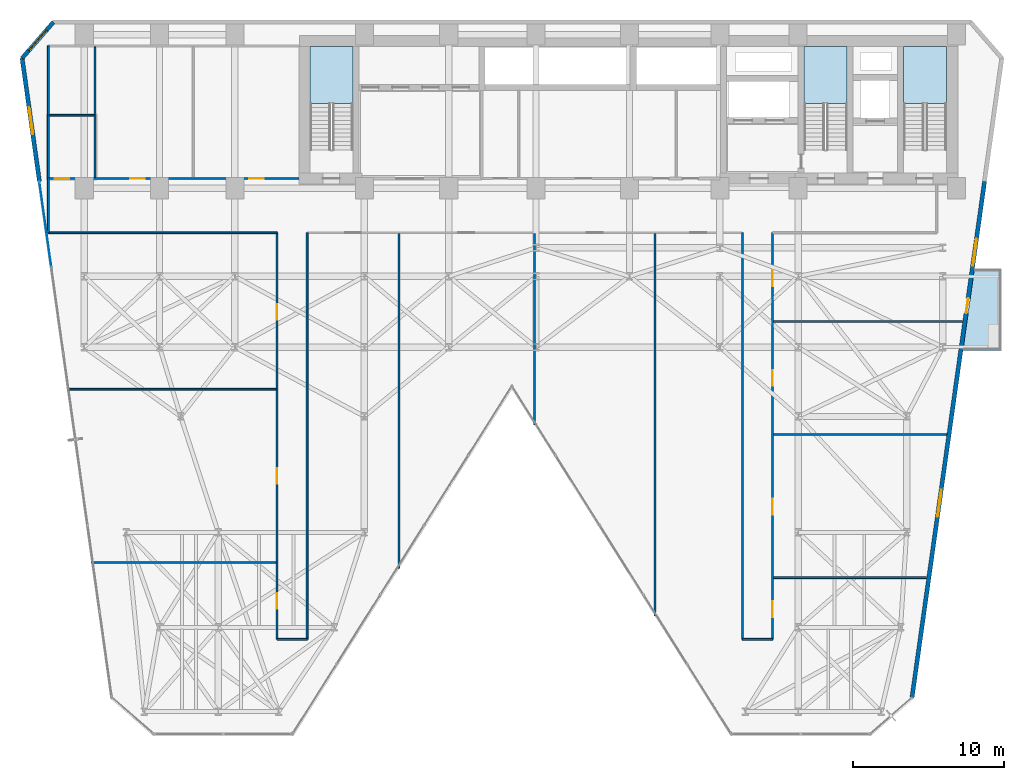
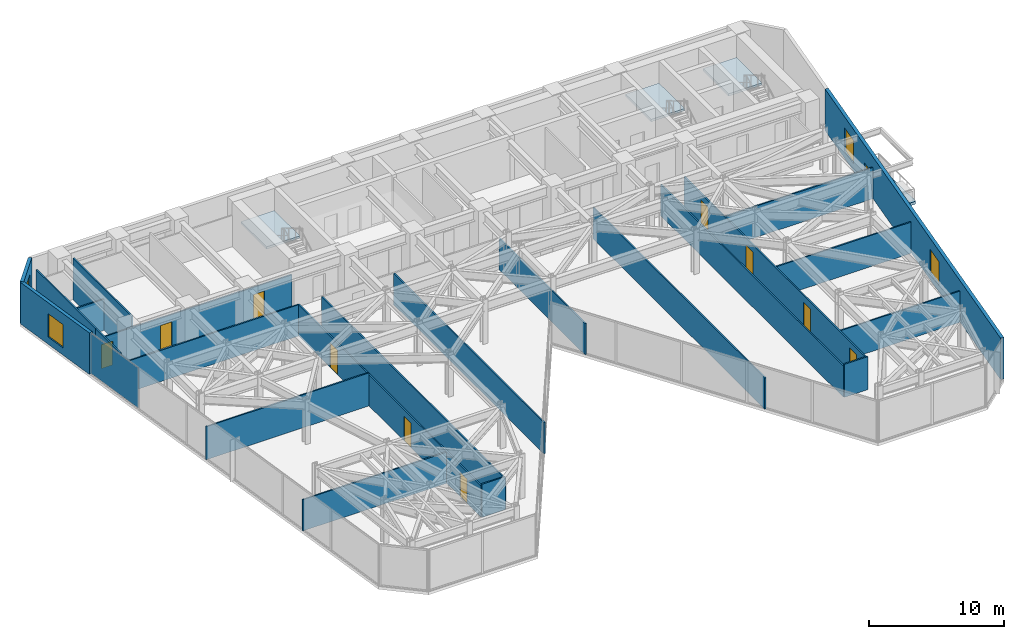
# One storey, part 19 of 25: 23 walls, 11 doors, 4 slabs, 4 windows, 1 plate, 15 openings, 4 elements without a shape of their own.
"""IFC4 building model written with IfcOpenShell, lengths in metres."""

from ifc_helpers import new_model, si_unit, direction, frame, frame_2d, origin, origin_2d, place, context, subcontext, project, spatial, polyline, rectangle, outline, extrude, material, layer, layer_set, type_object, element, fill, aggregate, save


model = new_model("IFC4")

# Units and contexts
model_context = context("Model", 3, precision=1e-05, world=origin(), true_north=direction((0.0, 1.0)))
body_context = subcontext(model_context, "Body", "Model", "MODEL_VIEW")
ifc_project = project(units=[si_unit("LENGTHUNIT", "METRE"), si_unit("AREAUNIT", "SQUARE_METRE"), si_unit("VOLUMEUNIT", "CUBIC_METRE"), si_unit("PLANEANGLEUNIT", "RADIAN"), si_unit("MASSUNIT", "GRAM", prefix="KILO")], contexts=[model_context])

# Site, building, storey
site_placement = place(None, origin())
site = spatial("IfcSite", under=ifc_project, at=site_placement, CompositionType="ELEMENT")
building_placement = place(site_placement, origin())
building = spatial("IfcBuilding", under=site, at=building_placement, Name="Kravanh Interchange Tower", CompositionType="ELEMENT")
storey_placement = place(building_placement, frame((0.0, 0.0, 73.5)))
storey = spatial("IfcBuildingStorey", under=building, at=storey_placement, Name="L17", CompositionType="ELEMENT", Elevation=73.5)

# Stair, slab
ifc_material_1 = material(Name="Concrete C50/60", Category="concrete")
stair_type = type_object("IfcStairType", Name="Core Fire Exit Dogleg Stair Concrete C50/60", PredefinedType="HALF_TURN_STAIR", material=ifc_material_1)
stair_1_placement = place(storey_placement, origin())
stair_1 = element("IfcStair", 1, at=stair_1_placement, inside=storey, type_object=stair_type, Name="L17 Exit Stair ST1", PredefinedType="HALF_TURN_STAIR")
ifc_material_2 = material(Name="Concrete C50/60", Category="concrete")
ifc_layer_1 = layer(ifc_material_2, 0.199951171875)
ifc_layer_set_1 = layer_set([ifc_layer_1], Name="Concrete C50/60 Stair Half-Landing Slab 200mm")
slab_type_1 = type_object("IfcSlabType", Name="Concrete C50/60 Stair Half-Landing Slab 200mm", PredefinedType="LANDING", material=ifc_layer_set_1)
slab_1_placement = place(storey_placement, frame((0.0, 0.0, 1.800048828125)))
slab_1 = element("IfcSlab", 2, at=slab_1_placement, type_object=slab_type_1, Name="ST1 landing 1", PredefinedType="LANDING", context=body_context, shape_type="SweptSolid", body=[
    extrude(outline(polyline([(65.85009765625, 42.97998046875), (65.85009765625, 46.75), (63.0, 46.75), (63.0, 42.97998046875), (65.85009765625, 42.97998046875)])), origin(), (0.0, 0.0, 1.0), 0.199951171875),
])
aggregate(stair_1, [slab_1])

stair_2_placement = place(storey_placement, origin())
stair_2 = element("IfcStair", 3, at=stair_2_placement, inside=storey, type_object=stair_type, Name="L17 Exit Stair ST2", PredefinedType="HALF_TURN_STAIR")
slab_2_placement = place(storey_placement, frame((0.0, 0.0, 1.800048828125)))
slab_2 = element("IfcSlab", 4, at=slab_2_placement, type_object=slab_type_1, Name="ST2 landing 1", PredefinedType="LANDING", context=body_context, shape_type="SweptSolid", body=[
    extrude(outline(polyline([(59.25, 42.97998046875), (59.25, 46.75), (56.39990234375, 46.75), (56.39990234375, 42.97998046875), (59.25, 42.97998046875)])), origin(), (0.0, 0.0, 1.0), 0.199951171875),
])
aggregate(stair_2, [slab_2])

stair_3_placement = place(storey_placement, origin())
stair_3 = element("IfcStair", 5, at=stair_3_placement, inside=storey, type_object=stair_type, Name="L17 Exit Stair ST3", PredefinedType="HALF_TURN_STAIR")
slab_3_placement = place(storey_placement, frame((0.0, 0.0, 1.800048828125)))
slab_3 = element("IfcSlab", 6, at=slab_3_placement, type_object=slab_type_1, Name="ST3 landing 1", PredefinedType="LANDING", context=body_context, shape_type="SweptSolid", body=[
    extrude(outline(polyline([(26.449951171875, 42.97998046875), (26.449951171875, 46.75), (23.60009765625, 46.75), (23.60009765625, 42.97998046875), (26.449951171875, 42.97998046875)])), origin(), (0.0, 0.0, 1.0), 0.199951171875),
])
aggregate(stair_3, [slab_3])

# Slab
ifc_material_3 = material(Name="Concrete C50/60", Category="concrete")
ifc_layer_2 = layer(ifc_material_3, 0.199951171875)
ifc_layer_set_2 = layer_set([ifc_layer_2], Name="Planted Tree Balcony Slab Concrete C50/60 200mm")
slab_type_2 = type_object("IfcSlabType", Name="Planted Tree Balcony Slab Concrete C50/60 200mm", PredefinedType="USERDEFINED", material=ifc_layer_set_2)
slab_4_placement = place(storey_placement, frame((0.0, 0.0, -0.260009765625)))
element("IfcSlab", 7, at=slab_4_placement, inside=storey, type_object=slab_type_2, Name="L17 East Tree Planter Balcony Slab", ObjectType="BALCONY", PredefinedType="USERDEFINED", context=body_context, shape_type="SweptSolid", body=[
    extrude(outline(polyline([(69.489990234375, 31.989990234375), (69.489990234375, 26.590087890625), (66.935791015625, 26.590087890625), (67.69482421875, 31.989990234375), (69.489990234375, 31.989990234375)])), origin(), (0.0, 0.0, 1.0), 0.260009765625),
])

# Curtain wall, plate
ifc_material_4 = material(Name="Anodised Bronze Aluminium", Category="aluminium")
ifc_layer_3 = layer(ifc_material_4, 0.179931640625)
ifc_layer_set_3 = layer_set([ifc_layer_3], Name="Unitised Curtain Wall System CW-Z1 Lower Office")
curtain_wall_type = type_object("IfcCurtainWallType", Name="Unitised Curtain Wall System CW-Z1 Lower Office", PredefinedType="NOTDEFINED", material=ifc_layer_set_3)
curtain_wall_placement = place(storey_placement, origin())
curtain_wall = element("IfcCurtainWall", 8, at=curtain_wall_placement, inside=storey, type_object=curtain_wall_type, Name="L17 Unitised Curtain Wall CW-L17-01", PredefinedType="NOTDEFINED")
ifc_material_5 = material(Name="Low-E Laminated Architectural Glass", Category="glass")
ifc_layer_4 = layer(ifc_material_5, 0.028076171875)
ifc_layer_set_4 = layer_set([ifc_layer_4], Name="Solar-Control Double Glazing 28mm")
plate_type = type_object("IfcPlateType", Name="Solar-Control Double Glazing 28mm", PredefinedType="CURTAIN_PANEL", material=ifc_layer_set_4)
plate_placement = place(storey_placement, frame((6.028564453125, 34.927490234375, 0.06005859375), z_axis=(0.0, 0.0, 1.0), x_axis=(-0.139176538065, 0.990267585682, 0.0)))
plate = element("IfcPlate", 9, at=plate_placement, type_object=plate_type, Name="CW-Z1 panel 6.1", PredefinedType="CURTAIN_PANEL", context=body_context, shape_type="SweptSolid", body=[
    extrude(rectangle(XDim=5.66162109375, YDim=0.028076171875, at=origin_2d()), origin(), (0.0, 0.0, 1.0), 3.6201171875),
])
aggregate(curtain_wall, [plate])

# Wall, openings, doors
ifc_material_6 = material(Name="Double Acoustic Gypsum Board and Mineral Wool")
ifc_layer_5 = layer(ifc_material_6, 0.1201171875)
ifc_layer_set_5 = layer_set([ifc_layer_5], Name="Acoustic Office Drywall Partition 120mm")
wall_type_1 = type_object("IfcWallType", Name="Acoustic Office Drywall Partition 120mm", PredefinedType="PARTITIONING", material=ifc_layer_set_5)
wall_1_placement = place(storey_placement, frame((6.219970703125, 38.0, 0.0), z_axis=(0.0, 0.0, 1.0), x_axis=(1.0, 0.0, 0.0)))
wall_1 = element("IfcWall", 10, at=wall_1_placement, inside=storey, type_object=wall_type_1, Name="L17 Restroom Corridor Wall 7", PredefinedType="PARTITIONING", context=body_context, shape_type="SweptSolid", body=[
    extrude(rectangle(XDim=16.630126953125, YDim=0.1201171875, at=frame_2d((8.31494140625, 0.0))), origin(), (0.0, 0.0, 1.0), 2.81298828125),
])
opening_1_placement = place(wall_1_placement, frame((0.424072265625, 0.0, 0.0)))
opening_1 = element("IfcOpeningElement", 11, at=opening_1_placement, cuts=wall_1, Name="Opening D-95", PredefinedType="OPENING", context=body_context, shape_type="SweptSolid", body=[
    extrude(rectangle(XDim=0.949951171875, YDim=2.14990234375, at=frame_2d((0.47509765625, 1.074951171875))), frame((0.0, 0.070068359375, 0.0), z_axis=(0.0, -1.0, 0.0), x_axis=(1.0, 0.0, 0.0)), (0.0, 0.0, 1.0), 0.14013671875),
])
opening_2_placement = place(wall_1_placement, frame((5.444091796875, 0.0, 0.0)))
opening_2 = element("IfcOpeningElement", 12, at=opening_2_placement, cuts=wall_1, Name="Opening D-95", PredefinedType="OPENING", context=body_context, shape_type="SweptSolid", body=[
    extrude(rectangle(XDim=0.949951171875, YDim=2.14990234375, at=frame_2d((0.47509765625, 1.074951171875))), frame((0.0, 0.070068359375, 0.0), z_axis=(0.0, -1.0, 0.0), x_axis=(1.0, 0.0, 0.0)), (0.0, 0.0, 1.0), 0.14013671875),
])
opening_3_placement = place(wall_1_placement, frame((13.343994140625, 0.0, 0.0)))
opening_3 = element("IfcOpeningElement", 13, at=opening_3_placement, cuts=wall_1, Name="Opening D-95", PredefinedType="OPENING", context=body_context, shape_type="SweptSolid", body=[
    extrude(rectangle(XDim=0.949951171875, YDim=2.14990234375, at=frame_2d((0.47509765625, 1.074951171875))), frame((0.0, 0.070068359375, 0.0), z_axis=(0.0, -1.0, 0.0), x_axis=(1.0, 0.0, 0.0)), (0.0, 0.0, 1.0), 0.14013671875),
])
ifc_material_7 = material(Name="Laminate Solid-Core Timber", Category="wood")
door_type_1 = type_object("IfcDoorType", Name="Accessible Restroom Door 950x2150", OperationType="NOTDEFINED", PredefinedType="DOOR", material=ifc_material_7)
door_1_placement = place(opening_1_placement, origin())
door_1 = element("IfcDoor", 14, at=door_1_placement, inside=storey, type_object=door_type_1, Name="L17 Accessible WC Door", OperationType="SINGLE_SWING_RIGHT", OverallHeight=2.14990234375, OverallWidth=0.949951171875, PredefinedType="DOOR", context=body_context, shape_type="SweptSolid", body=[
    extrude(rectangle(XDim=0.949951171875, YDim=2.14990234375, at=frame_2d((0.47509765625, 1.074951171875))), frame((0.0, 0.02490234375, 0.0), z_axis=(0.0, -1.0, 0.0), x_axis=(1.0, 0.0, 0.0)), (0.0, 0.0, 1.0), 0.050048828125),
])
fill(opening_1, door_1)
door_2_placement = place(opening_2_placement, origin())
door_2 = element("IfcDoor", 15, at=door_2_placement, inside=storey, type_object=door_type_1, Name="L17 Female WC Door", OperationType="SINGLE_SWING_LEFT", OverallHeight=2.14990234375, OverallWidth=0.949951171875, PredefinedType="DOOR", context=body_context, shape_type="SweptSolid", body=[
    extrude(rectangle(XDim=0.949951171875, YDim=2.14990234375, at=frame_2d((0.47509765625, 1.074951171875))), frame((0.0, 0.02490234375, 0.0), z_axis=(0.0, -1.0, 0.0), x_axis=(1.0, 0.0, 0.0)), (0.0, 0.0, 1.0), 0.050048828125),
])
fill(opening_2, door_2)
door_3_placement = place(opening_3_placement, origin())
door_3 = element("IfcDoor", 16, at=door_3_placement, inside=storey, type_object=door_type_1, Name="L17 Male WC Door", OperationType="SINGLE_SWING_RIGHT", OverallHeight=2.14990234375, OverallWidth=0.949951171875, PredefinedType="DOOR", context=body_context, shape_type="SweptSolid", body=[
    extrude(rectangle(XDim=0.949951171875, YDim=2.14990234375, at=frame_2d((0.47509765625, 1.074951171875))), frame((0.0, 0.02490234375, 0.0), z_axis=(0.0, -1.0, 0.0), x_axis=(1.0, 0.0, 0.0)), (0.0, 0.0, 1.0), 0.050048828125),
])
fill(opening_3, door_3)

# Walls
wall_2_placement = place(storey_placement, frame((6.219970703125, 38.0, 0.0), z_axis=(0.0, 0.0, 1.0), x_axis=(0.0, 1.0, 0.0)))
element("IfcWall", 17, at=wall_2_placement, inside=storey, type_object=wall_type_1, Name="L17 Restroom West Enclosure 8", PredefinedType="PARTITIONING", context=body_context, shape_type="SweptSolid", body=[
    extrude(rectangle(XDim=8.800048828125, YDim=0.1201171875, at=frame_2d((4.39990234375, 0.0))), origin(), (0.0, 0.0, 1.0), 3.739990234375),
])
wall_3_placement = place(storey_placement, frame((9.320068359375, 38.068115234375, 0.0), z_axis=(0.0, 0.0, 1.0), x_axis=(0.0, 1.0, 0.0)))
element("IfcWall", 18, at=wall_3_placement, inside=storey, type_object=wall_type_1, Name="L17 Interior Partition 10", PredefinedType="PARTITIONING", context=body_context, shape_type="SweptSolid", body=[
    extrude(rectangle(XDim=8.663818359375, YDim=0.1201171875, at=frame_2d((4.33203125, 0.0))), origin(), (0.0, 0.0, 1.0), 3.739990234375),
])
wall_4_placement = place(storey_placement, frame((6.2880859375, 42.199951171875, 0.0), z_axis=(0.0, 0.0, 1.0), x_axis=(1.0, 0.0, 0.0)))
element("IfcWall", 19, at=wall_4_placement, inside=storey, type_object=wall_type_1, Name="L17 Interior Partition 12", PredefinedType="PARTITIONING", context=body_context, shape_type="SweptSolid", body=[
    extrude(rectangle(XDim=2.9638671875, YDim=0.1201171875, at=frame_2d((1.48193359375, 0.0))), origin(), (0.0, 0.0, 1.0), 2.81298828125),
])
wall_5_placement = place(storey_placement, frame((6.219970703125, 34.39990234375, 0.0), z_axis=(0.0, 0.0, 1.0), x_axis=(1.0, 0.0, 0.0)))
element("IfcWall", 20, at=wall_5_placement, inside=storey, type_object=wall_type_1, Name="L17 Interior Partition 13", PredefinedType="PARTITIONING", context=body_context, shape_type="SweptSolid", body=[
    extrude(rectangle(XDim=15.179931640625, YDim=0.1201171875, at=frame_2d((7.58984375, 0.0))), origin(), (0.0, 0.0, 1.0), 2.81298828125),
])
wall_6_placement = place(storey_placement, frame((6.219970703125, 34.39990234375, 0.0), z_axis=(0.0, 0.0, 1.0), x_axis=(0.0, 1.0, 0.0)))
element("IfcWall", 21, at=wall_6_placement, inside=storey, type_object=wall_type_1, Name="L17 Interior Partition 16", PredefinedType="PARTITIONING", context=body_context, shape_type="SweptSolid", body=[
    extrude(rectangle(XDim=3.650146484375, YDim=0.1201171875, at=frame_2d((1.8251953125, 0.0))), origin(), (0.0, 0.0, 1.0), 3.739990234375),
])

# Wall, openings, doors
wall_7_placement = place(storey_placement, frame((21.39990234375, 7.39990234375, 0.0), z_axis=(0.0, 0.0, 1.0), x_axis=(0.0, 1.0, 0.0)))
wall_7 = element("IfcWall", 22, at=wall_7_placement, inside=storey, type_object=wall_type_1, Name="L17 Interior Partition 18", PredefinedType="PARTITIONING", context=body_context, shape_type="SweptSolid", body=[
    extrude(rectangle(XDim=27.0, YDim=0.1201171875, at=frame_2d((13.5, 0.0))), origin(), (0.0, 0.0, 1.0), 2.81298828125),
])
opening_4_placement = place(wall_7_placement, frame((2.02490234375, 0.0, 0.0)))
opening_4 = element("IfcOpeningElement", 23, at=opening_4_placement, cuts=wall_7, Name="Opening D-105", PredefinedType="OPENING", context=body_context, shape_type="SweptSolid", body=[
    extrude(rectangle(XDim=1.050048828125, YDim=2.199951171875, at=frame_2d((0.52490234375, 1.10009765625))), frame((0.0, 0.070068359375, 0.0), z_axis=(0.0, -1.0, 0.0), x_axis=(1.0, 0.0, 0.0)), (0.0, 0.0, 1.0), 0.14013671875),
])
opening_5_placement = place(wall_7_placement, frame((10.324951171875, 0.0, 0.0)))
opening_5 = element("IfcOpeningElement", 24, at=opening_5_placement, cuts=wall_7, Name="Opening D-105", PredefinedType="OPENING", context=body_context, shape_type="SweptSolid", body=[
    extrude(rectangle(XDim=1.050048828125, YDim=2.199951171875, at=frame_2d((0.52490234375, 1.10009765625))), frame((0.0, 0.070068359375, 0.0), z_axis=(0.0, -1.0, 0.0), x_axis=(1.0, 0.0, 0.0)), (0.0, 0.0, 1.0), 0.14013671875),
])
opening_6_placement = place(wall_7_placement, frame((21.209716796875, 0.0, 0.0)))
opening_6 = element("IfcOpeningElement", 25, at=opening_6_placement, cuts=wall_7, Name="Opening D-105", PredefinedType="OPENING", context=body_context, shape_type="SweptSolid", body=[
    extrude(rectangle(XDim=1.050048828125, YDim=2.199951171875, at=frame_2d((0.52490234375, 1.10009765625))), frame((0.0, 0.070068359375, 0.0), z_axis=(0.0, -1.0, 0.0), x_axis=(1.0, 0.0, 0.0)), (0.0, 0.0, 1.0), 0.14013671875),
])
ifc_material_8 = material(Name="Acoustic Glazed Oak and Aluminium", Category="aluminium")
door_type_2 = type_object("IfcDoorType", Name="Office Workplace Door 1050x2200", OperationType="NOTDEFINED", PredefinedType="DOOR", material=ifc_material_8)
door_4_placement = place(opening_4_placement, origin())
door_4 = element("IfcDoor", 26, at=door_4_placement, inside=storey, type_object=door_type_2, Name="L17 SW Hospitality Lounge Door", OperationType="SINGLE_SWING_LEFT", OverallHeight=2.199951171875, OverallWidth=1.050048828125, PredefinedType="DOOR", context=body_context, shape_type="SweptSolid", body=[
    extrude(rectangle(XDim=1.050048828125, YDim=2.199951171875, at=frame_2d((0.52490234375, 1.10009765625))), frame((0.0, 0.02490234375, 0.0), z_axis=(0.0, -1.0, 0.0), x_axis=(1.0, 0.0, 0.0)), (0.0, 0.0, 1.0), 0.050048828125),
])
fill(opening_4, door_4)
door_5_placement = place(opening_5_placement, origin())
door_5 = element("IfcDoor", 27, at=door_5_placement, inside=storey, type_object=door_type_2, Name="L17 West Catering Kitchenette Door", OperationType="SINGLE_SWING_RIGHT", OverallHeight=2.199951171875, OverallWidth=1.050048828125, PredefinedType="DOOR", context=body_context, shape_type="SweptSolid", body=[
    extrude(rectangle(XDim=1.050048828125, YDim=2.199951171875, at=frame_2d((0.52490234375, 1.10009765625))), frame((0.0, 0.02490234375, 0.0), z_axis=(0.0, -1.0, 0.0), x_axis=(1.0, 0.0, 0.0)), (0.0, 0.0, 1.0), 0.050048828125),
])
fill(opening_5, door_5)
door_6_placement = place(opening_6_placement, origin())
door_6 = element("IfcDoor", 28, at=door_6_placement, inside=storey, type_object=door_type_2, Name="L17 NW Supply Store Door", OperationType="SINGLE_SWING_LEFT", OverallHeight=2.199951171875, OverallWidth=1.050048828125, PredefinedType="DOOR", context=body_context, shape_type="SweptSolid", body=[
    extrude(rectangle(XDim=1.050048828125, YDim=2.199951171875, at=frame_2d((0.52490234375, 1.10009765625))), frame((0.0, 0.02490234375, 0.0), z_axis=(0.0, -1.0, 0.0), x_axis=(1.0, 0.0, 0.0)), (0.0, 0.0, 1.0), 0.050048828125),
])
fill(opening_6, door_6)

# Walls
wall_8_placement = place(storey_placement, frame((23.39990234375, 7.39990234375, 0.0), z_axis=(0.0, 0.0, 1.0), x_axis=(0.0, 1.0, 0.0)))
element("IfcWall", 29, at=wall_8_placement, inside=storey, type_object=wall_type_1, Name="L17 Interior Partition 19", PredefinedType="PARTITIONING", context=body_context, shape_type="SweptSolid", body=[
    extrude(rectangle(XDim=27.0, YDim=0.1201171875, at=frame_2d((13.5, 0.0))), origin(), (0.0, 0.0, 1.0), 2.81298828125),
])
wall_9_placement = place(storey_placement, frame((21.39990234375, 7.39990234375, 0.0), z_axis=(0.0, 0.0, 1.0), x_axis=(1.0, 0.0, 0.0)))
element("IfcWall", 30, at=wall_9_placement, inside=storey, type_object=wall_type_1, Name="L17 Interior Partition 20", PredefinedType="PARTITIONING", context=body_context, shape_type="SweptSolid", body=[
    extrude(rectangle(XDim=2.0, YDim=0.1201171875, at=frame_2d((1.0, 0.0))), origin(), (0.0, 0.0, 1.0), 2.97802734375),
])
wall_10_placement = place(storey_placement, frame((52.300048828125, 7.39990234375, 0.0), z_axis=(0.0, 0.0, 1.0), x_axis=(0.0, 1.0, 0.0)))
element("IfcWall", 31, at=wall_10_placement, inside=storey, type_object=wall_type_1, Name="L17 Interior Partition 21", PredefinedType="PARTITIONING", context=body_context, shape_type="SweptSolid", body=[
    extrude(rectangle(XDim=27.0, YDim=0.1201171875, at=frame_2d((13.5, 0.0))), origin(), (0.0, 0.0, 1.0), 2.81298828125),
])

# Wall, openings, doors
wall_11_placement = place(storey_placement, frame((54.300048828125, 7.39990234375, 0.0), z_axis=(0.0, 0.0, 1.0), x_axis=(0.0, 1.0, 0.0)))
wall_11 = element("IfcWall", 32, at=wall_11_placement, inside=storey, type_object=wall_type_1, Name="L17 Interior Partition 22", PredefinedType="PARTITIONING", context=body_context, shape_type="SweptSolid", body=[
    extrude(rectangle(XDim=27.0, YDim=0.1201171875, at=frame_2d((13.5, 0.0))), origin(), (0.0, 0.0, 1.0), 2.81298828125),
])
opening_7_placement = place(wall_11_placement, frame((1.484130859375, 0.0, 0.0)))
opening_7 = element("IfcOpeningElement", 33, at=opening_7_placement, cuts=wall_11, Name="Opening D-105", PredefinedType="OPENING", context=body_context, shape_type="SweptSolid", body=[
    extrude(rectangle(XDim=1.050048828125, YDim=2.199951171875, at=frame_2d((0.52490234375, 1.10009765625))), frame((0.0, 0.070068359375, 0.0), z_axis=(0.0, -1.0, 0.0), x_axis=(1.0, 0.0, 0.0)), (0.0, 0.0, 1.0), 0.14013671875),
])
opening_8_placement = place(wall_11_placement, frame((8.284912109375, 0.0, 0.0)))
opening_8 = element("IfcOpeningElement", 34, at=opening_8_placement, cuts=wall_11, Name="Opening D-105", PredefinedType="OPENING", context=body_context, shape_type="SweptSolid", body=[
    extrude(rectangle(XDim=1.050048828125, YDim=2.199951171875, at=frame_2d((0.52490234375, 1.10009765625))), frame((0.0, 0.070068359375, 0.0), z_axis=(0.0, -1.0, 0.0), x_axis=(1.0, 0.0, 0.0)), (0.0, 0.0, 1.0), 0.14013671875),
])
opening_9_placement = place(wall_11_placement, frame((16.824951171875, 0.0, 0.0)))
opening_9 = element("IfcOpeningElement", 35, at=opening_9_placement, cuts=wall_11, Name="Opening D-105", PredefinedType="OPENING", context=body_context, shape_type="SweptSolid", body=[
    extrude(rectangle(XDim=1.050048828125, YDim=2.199951171875, at=frame_2d((0.52490234375, 1.10009765625))), frame((0.0, 0.070068359375, 0.0), z_axis=(0.0, -1.0, 0.0), x_axis=(1.0, 0.0, 0.0)), (0.0, 0.0, 1.0), 0.14013671875),
])
opening_10_placement = place(wall_11_placement, frame((23.459716796875, 0.0, 0.0)))
opening_10 = element("IfcOpeningElement", 36, at=opening_10_placement, cuts=wall_11, Name="Opening D-105", PredefinedType="OPENING", context=body_context, shape_type="SweptSolid", body=[
    extrude(rectangle(XDim=1.050048828125, YDim=2.199951171875, at=frame_2d((0.52490234375, 1.10009765625))), frame((0.0, 0.070068359375, 0.0), z_axis=(0.0, -1.0, 0.0), x_axis=(1.0, 0.0, 0.0)), (0.0, 0.0, 1.0), 0.14013671875),
])
door_7_placement = place(opening_7_placement, origin())
door_7 = element("IfcDoor", 37, at=door_7_placement, inside=storey, type_object=door_type_2, Name="L17 SE Reception Lounge Door", OperationType="SINGLE_SWING_RIGHT", OverallHeight=2.199951171875, OverallWidth=1.050048828125, PredefinedType="DOOR", context=body_context, shape_type="SweptSolid", body=[
    extrude(rectangle(XDim=1.050048828125, YDim=2.199951171875, at=frame_2d((0.52490234375, 1.10009765625))), frame((0.0, 0.02490234375, 0.0), z_axis=(0.0, -1.0, 0.0), x_axis=(1.0, 0.0, 0.0)), (0.0, 0.0, 1.0), 0.050048828125),
])
fill(opening_7, door_7)
door_8_placement = place(opening_8_placement, origin())
door_8 = element("IfcDoor", 38, at=door_8_placement, inside=storey, type_object=door_type_2, Name="L17 East Briefing Meeting Door", OperationType="SINGLE_SWING_LEFT", OverallHeight=2.199951171875, OverallWidth=1.050048828125, PredefinedType="DOOR", context=body_context, shape_type="SweptSolid", body=[
    extrude(rectangle(XDim=1.050048828125, YDim=2.199951171875, at=frame_2d((0.52490234375, 1.10009765625))), frame((0.0, 0.02490234375, 0.0), z_axis=(0.0, -1.0, 0.0), x_axis=(1.0, 0.0, 0.0)), (0.0, 0.0, 1.0), 0.050048828125),
])
fill(opening_8, door_8)
door_9_placement = place(opening_9_placement, origin())
door_9 = element("IfcDoor", 39, at=door_9_placement, inside=storey, type_object=door_type_2, Name="L17 East Balcony Lounge Door", OperationType="SINGLE_SWING_RIGHT", OverallHeight=2.199951171875, OverallWidth=1.050048828125, PredefinedType="DOOR", context=body_context, shape_type="SweptSolid", body=[
    extrude(rectangle(XDim=1.050048828125, YDim=2.199951171875, at=frame_2d((0.52490234375, 1.10009765625))), frame((0.0, 0.02490234375, 0.0), z_axis=(0.0, -1.0, 0.0), x_axis=(1.0, 0.0, 0.0)), (0.0, 0.0, 1.0), 0.050048828125),
])
fill(opening_9, door_9)
door_10_placement = place(opening_10_placement, origin())
door_10 = element("IfcDoor", 40, at=door_10_placement, inside=storey, type_object=door_type_2, Name="L17 NE Vault Store Door", OperationType="SINGLE_SWING_LEFT", OverallHeight=2.199951171875, OverallWidth=1.050048828125, PredefinedType="DOOR", context=body_context, shape_type="SweptSolid", body=[
    extrude(rectangle(XDim=1.050048828125, YDim=2.199951171875, at=frame_2d((0.52490234375, 1.10009765625))), frame((0.0, 0.02490234375, 0.0), z_axis=(0.0, -1.0, 0.0), x_axis=(1.0, 0.0, 0.0)), (0.0, 0.0, 1.0), 0.050048828125),
])
fill(opening_10, door_10)

# Walls
wall_12_placement = place(storey_placement, frame((52.300048828125, 7.39990234375, 0.0), z_axis=(0.0, 0.0, 1.0), x_axis=(1.0, 0.0, 0.0)))
element("IfcWall", 41, at=wall_12_placement, inside=storey, type_object=wall_type_1, Name="L17 Interior Partition 23", PredefinedType="PARTITIONING", context=body_context, shape_type="SweptSolid", body=[
    extrude(rectangle(XDim=2.0, YDim=0.1201171875, at=frame_2d((1.0, 0.0))), origin(), (0.0, 0.0, 1.0), 2.97802734375),
])
wall_13_placement = place(storey_placement, frame((9.07470703125, 12.5, 0.0), z_axis=(0.0, 0.0, 1.0), x_axis=(1.0, 0.0, 0.0)))
element("IfcWall", 42, at=wall_13_placement, inside=storey, type_object=wall_type_1, Name="L17 Interior Partition 24", PredefinedType="PARTITIONING", context=body_context, shape_type="SweptSolid", body=[
    extrude(rectangle(XDim=12.25732421875, YDim=0.1201171875, at=frame_2d((6.128662109375, 0.0))), origin(), (0.0, 0.0, 1.0), 2.81298828125),
])
wall_14_placement = place(storey_placement, frame((7.45849609375, 24.0, 0.0), z_axis=(0.0, 0.0, 1.0), x_axis=(1.0, 0.0, 0.0)))
element("IfcWall", 43, at=wall_14_placement, inside=storey, type_object=wall_type_1, Name="L17 Interior Partition 25", PredefinedType="PARTITIONING", context=body_context, shape_type="SweptSolid", body=[
    extrude(rectangle(XDim=13.87353515625, YDim=0.1201171875, at=frame_2d((6.936767578125, 0.0))), origin(), (0.0, 0.0, 1.0), 2.97802734375),
])
wall_15_placement = place(storey_placement, frame((54.367919921875, 11.5, 0.0), z_axis=(0.0, 0.0, 1.0), x_axis=(1.0, 0.0, 0.0)))
element("IfcWall", 44, at=wall_15_placement, inside=storey, type_object=wall_type_1, Name="L17 Interior Partition 26", PredefinedType="PARTITIONING", context=body_context, shape_type="SweptSolid", body=[
    extrude(rectangle(XDim=10.144287109375, YDim=0.1201171875, at=frame_2d((5.072265625, 0.0))), origin(), (0.0, 0.0, 1.0), 2.81298828125),
])
wall_16_placement = place(storey_placement, frame((54.367919921875, 21.0, 0.0), z_axis=(0.0, 0.0, 1.0), x_axis=(1.0, 0.0, 0.0)))
element("IfcWall", 45, at=wall_16_placement, inside=storey, type_object=wall_type_1, Name="L17 Interior Partition 27", PredefinedType="PARTITIONING", context=body_context, shape_type="SweptSolid", body=[
    extrude(rectangle(XDim=11.4794921875, YDim=0.1201171875, at=frame_2d((5.73974609375, 0.0))), origin(), (0.0, 0.0, 1.0), 2.81298828125),
])
wall_17_placement = place(storey_placement, frame((54.367919921875, 28.5, 0.0), z_axis=(0.0, 0.0, 1.0), x_axis=(1.0, 0.0, 0.0)))
element("IfcWall", 46, at=wall_17_placement, inside=storey, type_object=wall_type_1, Name="L17 Interior Partition 28", PredefinedType="PARTITIONING", context=body_context, shape_type="SweptSolid", body=[
    extrude(rectangle(XDim=12.533447265625, YDim=0.1201171875, at=frame_2d((6.2666015625, 0.0))), origin(), (0.0, 0.0, 1.0), 2.81298828125),
])
wall_18_placement = place(storey_placement, frame((29.5, 12.131591796875, 0.0), z_axis=(0.0, 0.0, 1.0), x_axis=(0.0, 1.0, 0.0)))
element("IfcWall", 47, at=wall_18_placement, inside=storey, type_object=wall_type_1, Name="L17 Interior Partition 29", PredefinedType="PARTITIONING", context=body_context, shape_type="SweptSolid", body=[
    extrude(rectangle(XDim=22.200439453125, YDim=0.1201171875, at=frame_2d((11.10009765625, 0.0))), origin(), (0.0, 0.0, 1.0), 2.81298828125),
])
wall_19_placement = place(storey_placement, frame((38.5, 21.648681640625, 0.0), z_axis=(0.0, 0.0, 1.0), x_axis=(0.0, 1.0, 0.0)))
element("IfcWall", 48, at=wall_19_placement, inside=storey, type_object=wall_type_1, Name="L17 Interior Partition 30", PredefinedType="PARTITIONING", context=body_context, shape_type="SweptSolid", body=[
    extrude(rectangle(XDim=12.683349609375, YDim=0.1201171875, at=frame_2d((6.341796875, 0.0))), origin(), (0.0, 0.0, 1.0), 2.81298828125),
])
wall_20_placement = place(storey_placement, frame((46.5, 8.959228515625, 0.0), z_axis=(0.0, 0.0, 1.0), x_axis=(0.0, 1.0, 0.0)))
element("IfcWall", 49, at=wall_20_placement, inside=storey, type_object=wall_type_1, Name="L17 Interior Partition 31", PredefinedType="PARTITIONING", context=body_context, shape_type="SweptSolid", body=[
    extrude(rectangle(XDim=25.372802734375, YDim=0.1201171875, at=frame_2d((12.6865234375, 0.0))), origin(), (0.0, 0.0, 1.0), 2.81298828125),
])

# Wall, opening, window
ifc_material_9 = material(Name="Insulated Precast Concrete C40/50 with Bronze Cladding", Category="concrete")
ifc_layer_6 = layer(ifc_material_9, 0.280029296875)
ifc_layer_set_6 = layer_set([ifc_layer_6], Name="Exterior Insulated Concrete C40/50 Bronze Spandrel Wall 280mm")
wall_type_2 = type_object("IfcWallType", Name="Exterior Insulated Concrete C40/50 Bronze Spandrel Wall 280mm", PredefinedType="STANDARD", material=ifc_layer_set_6)
wall_21_placement = place(storey_placement, frame((5.625, 37.800048828125, 0.0), z_axis=(0.0, 0.0, 1.0), x_axis=(-0.139180172484, 0.990267074878, 0.0)))
wall_21 = element("IfcWall", 50, at=wall_21_placement, inside=storey, type_object=wall_type_2, Name="L17 Exterior Wall 1", PredefinedType="STANDARD", context=body_context, shape_type="SweptSolid", body=[
    extrude(rectangle(XDim=8.267333984375, YDim=0.280029296875, at=frame_2d((4.1337890625, 0.0))), origin(), (0.0, 0.0, 1.0), 3.739990234375),
])
opening_11_placement = place(wall_21_placement, frame((3.1728515625, 0.0, 0.64990234375)))
opening_11 = element("IfcOpeningElement", 51, at=opening_11_placement, cuts=wall_21, Name="Opening WN-180X210", PredefinedType="OPENING", context=body_context, shape_type="SweptSolid", body=[
    extrude(rectangle(XDim=1.800048828125, YDim=2.10009765625, at=frame_2d((0.89990234375, 1.050048828125))), frame((0.0, 0.14990234375, 0.0), z_axis=(0.0, -1.0, 0.0), x_axis=(1.0, 0.0, 0.0)), (0.0, 0.0, 1.0), 0.300048828125),
])
ifc_material_10 = material(Name="Thermally Broken Bronze Aluminium and Low-E Glass", Category="aluminium")
window_type = type_object("IfcWindowType", Name="Tower Pier Window 1800x2100", PartitioningType="SINGLE_PANEL", PredefinedType="WINDOW", material=ifc_material_10)
window_1_placement = place(opening_11_placement, origin())
window_1 = element("IfcWindow", 52, at=window_1_placement, inside=storey, type_object=window_type, Name="L17 Corner Window 1", OverallHeight=2.10009765625, OverallWidth=1.800048828125, PartitioningType="SINGLE_PANEL", PredefinedType="WINDOW", context=body_context, shape_type="SweptSolid", body=[
    extrude(rectangle(XDim=1.800048828125, YDim=2.10009765625, at=frame_2d((0.89990234375, 1.050048828125))), frame((0.0, 0.030029296875, 0.0), z_axis=(0.0, -1.0, 0.0), x_axis=(1.0, 0.0, 0.0)), (0.0, 0.0, 1.0), 0.06005859375),
])
fill(opening_11, window_1)

wall_22_placement = place(storey_placement, frame((4.474365234375, 45.98681640625, 0.0), z_axis=(0.0, 0.0, 1.0), x_axis=(0.656070053895, 0.754699996278, 0.0)))
wall_22 = element("IfcWall", 53, at=wall_22_placement, inside=storey, type_object=wall_type_2, Name="L17 Exterior Wall 2", PredefinedType="STANDARD", context=body_context, shape_type="SweptSolid", body=[
    extrude(rectangle(XDim=3.1708984375, YDim=0.280029296875, at=frame_2d((1.58544921875, 0.0))), origin(), (0.0, 0.0, 1.0), 3.739990234375),
])
opening_12_placement = place(wall_22_placement, frame((0.66650390625, 0.0, 0.64990234375)))
opening_12 = element("IfcOpeningElement", 54, at=opening_12_placement, cuts=wall_22, Name="Opening WN-180X210", PredefinedType="OPENING", context=body_context, shape_type="SweptSolid", body=[
    extrude(rectangle(XDim=1.800048828125, YDim=2.10009765625, at=frame_2d((0.89990234375, 1.050048828125))), frame((0.0, 0.14990234375, 0.0), z_axis=(0.0, -1.0, 0.0), x_axis=(1.0, 0.0, 0.0)), (0.0, 0.0, 1.0), 0.300048828125),
])
window_2_placement = place(opening_12_placement, origin())
window_2 = element("IfcWindow", 55, at=window_2_placement, inside=storey, type_object=window_type, Name="L17 Corner Window 2", OverallHeight=2.10009765625, OverallWidth=1.800048828125, PartitioningType="SINGLE_PANEL", PredefinedType="WINDOW", context=body_context, shape_type="SweptSolid", body=[
    extrude(rectangle(XDim=1.800048828125, YDim=2.10009765625, at=frame_2d((0.89990234375, 1.050048828125))), frame((0.0, 0.030029296875, 0.0), z_axis=(0.0, -1.0, 0.0), x_axis=(1.0, 0.0, 0.0)), (0.0, 0.0, 1.0), 0.06005859375),
])
fill(opening_12, window_2)

# Wall, openings, door, windows
wall_23_placement = place(storey_placement, frame((68.375, 37.800048828125, 0.0), z_axis=(0.0, 0.0, 1.0), x_axis=(-0.139174610616, -0.990267856572, 0.0)))
wall_23 = element("IfcWall", 56, at=wall_23_placement, inside=storey, type_object=wall_type_2, Name="L17 Exterior Wall 6", PredefinedType="STANDARD", context=body_context, shape_type="SweptSolid", body=[
    extrude(rectangle(XDim=34.599853515625, YDim=0.280029296875, at=frame_2d((17.2998046875, 0.0))), origin(), (0.0, 0.0, 1.0), 3.739990234375),
])
opening_13_placement = place(wall_23_placement, frame((7.831298828125, 0.0, 0.0)))
opening_13 = element("IfcOpeningElement", 57, at=opening_13_placement, cuts=wall_23, Name="Opening ED-BAL100", PredefinedType="OPENING", context=body_context, shape_type="SweptSolid", body=[
    extrude(rectangle(XDim=1.0, YDim=2.14990234375, at=frame_2d((0.5, 1.074951171875))), frame((0.0, 0.14990234375, 0.0), z_axis=(0.0, -1.0, 0.0), x_axis=(1.0, 0.0, 0.0)), (0.0, 0.0, 1.0), 0.300048828125),
])
opening_14_placement = place(wall_23_placement, frame((3.852294921875, 0.0, 0.64990234375)))
opening_14 = element("IfcOpeningElement", 58, at=opening_14_placement, cuts=wall_23, Name="Opening WN-180X210", PredefinedType="OPENING", context=body_context, shape_type="SweptSolid", body=[
    extrude(rectangle(XDim=1.800048828125, YDim=2.10009765625, at=frame_2d((0.89990234375, 1.050048828125))), frame((0.0, 0.14990234375, 0.0), z_axis=(0.0, -1.0, 0.0), x_axis=(1.0, 0.0, 0.0)), (0.0, 0.0, 1.0), 0.300048828125),
])
opening_15_placement = place(wall_23_placement, frame((20.66259765625, 0.0, 0.64990234375)))
opening_15 = element("IfcOpeningElement", 59, at=opening_15_placement, cuts=wall_23, Name="Opening WN-180X210", PredefinedType="OPENING", context=body_context, shape_type="SweptSolid", body=[
    extrude(rectangle(XDim=1.800048828125, YDim=2.10009765625, at=frame_2d((0.89990234375, 1.050048828125))), frame((0.0, 0.14990234375, 0.0), z_axis=(0.0, -1.0, 0.0), x_axis=(1.0, 0.0, 0.0)), (0.0, 0.0, 1.0), 0.300048828125),
])
ifc_material_11 = material(Name="Thermally Broken Bronze Aluminium and Laminated Glass", Category="aluminium")
door_type_3 = type_object("IfcDoorType", Name="Balcony Glazed Door 1000x2150", OperationType="NOTDEFINED", PredefinedType="DOOR", material=ifc_material_11)
door_11_placement = place(opening_13_placement, origin())
door_11 = element("IfcDoor", 60, at=door_11_placement, inside=storey, type_object=door_type_3, Name="L17 E Tree Balcony Access Door", OperationType="SINGLE_SWING_LEFT", OverallHeight=2.14990234375, OverallWidth=1.0, PredefinedType="DOOR", context=body_context, shape_type="SweptSolid", body=[
    extrude(rectangle(XDim=1.0, YDim=2.14990234375, at=frame_2d((0.5, 1.074951171875))), frame((0.0, 0.02490234375, 0.0), z_axis=(0.0, -1.0, 0.0), x_axis=(1.0, 0.0, 0.0)), (0.0, 0.0, 1.0), 0.050048828125),
])
fill(opening_13, door_11)
window_3_placement = place(opening_14_placement, origin())
window_3 = element("IfcWindow", 61, at=window_3_placement, inside=storey, type_object=window_type, Name="L17 Facade Window 6A", OverallHeight=2.10009765625, OverallWidth=1.800048828125, PartitioningType="SINGLE_PANEL", PredefinedType="WINDOW", context=body_context, shape_type="SweptSolid", body=[
    extrude(rectangle(XDim=1.800048828125, YDim=2.10009765625, at=frame_2d((0.89990234375, 1.050048828125))), frame((0.0, 0.030029296875, 0.0), z_axis=(0.0, -1.0, 0.0), x_axis=(1.0, 0.0, 0.0)), (0.0, 0.0, 1.0), 0.06005859375),
])
fill(opening_14, window_3)
window_4_placement = place(opening_15_placement, origin())
window_4 = element("IfcWindow", 62, at=window_4_placement, inside=storey, type_object=window_type, Name="L17 Facade Window 6B", OverallHeight=2.10009765625, OverallWidth=1.800048828125, PartitioningType="SINGLE_PANEL", PredefinedType="WINDOW", context=body_context, shape_type="SweptSolid", body=[
    extrude(rectangle(XDim=1.800048828125, YDim=2.10009765625, at=frame_2d((0.89990234375, 1.050048828125))), frame((0.0, 0.030029296875, 0.0), z_axis=(0.0, -1.0, 0.0), x_axis=(1.0, 0.0, 0.0)), (0.0, 0.0, 1.0), 0.06005859375),
])
fill(opening_15, window_4)

save(model, "model.ifc")
